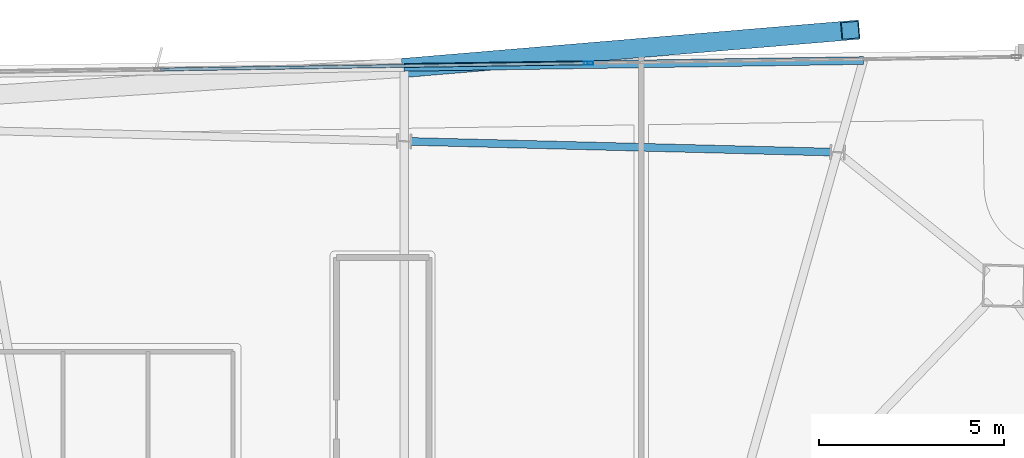
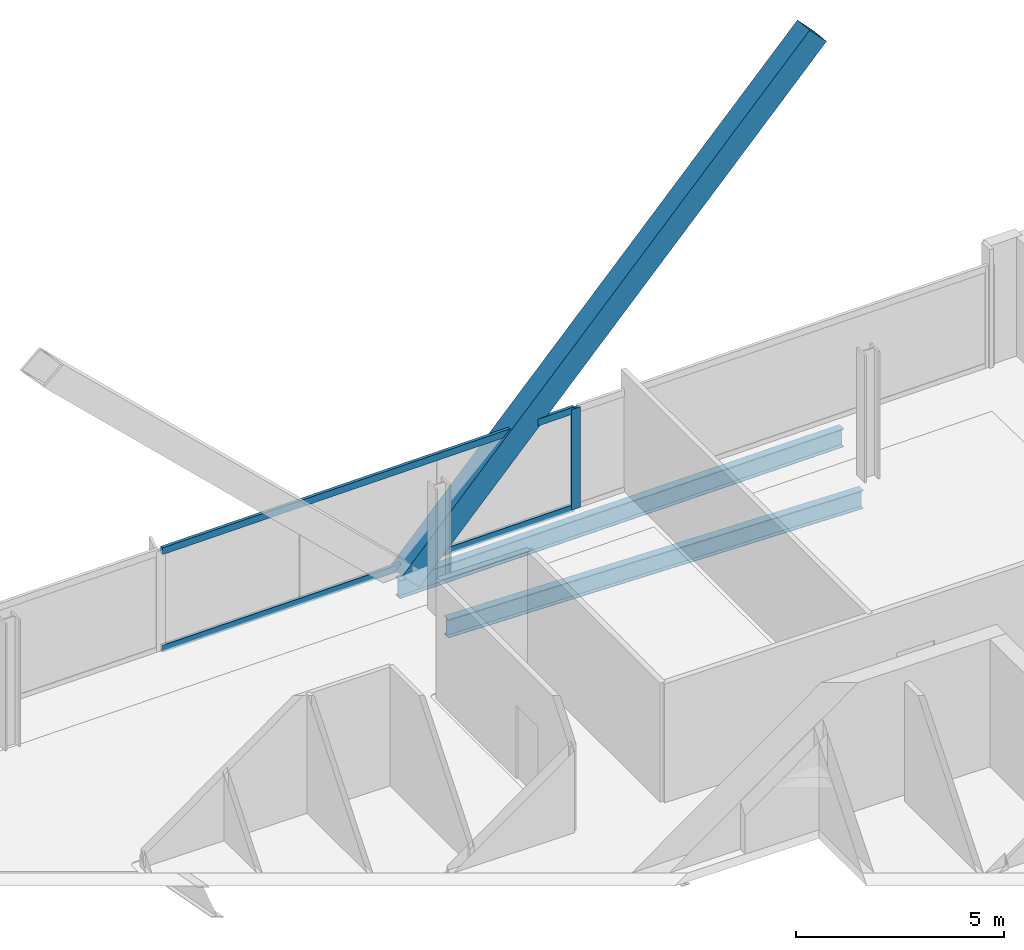
# One storey, part 16 of 25: 4 members, 2 beams, 1 element without a shape of its own.
"""IFC4 building model written with IfcOpenShell, lengths in metres."""

import ifcopenshell
import ifcopenshell.guid

model = None  # the IFC model being written
_history = None  # IfcOwnerHistory: only IFC2X3 demands one
_inside = {}  # id of a spatial element -> (the spatial element, [elements in it])
_under = {}  # id of a project, library or spatial element -> (it, [spatial elements below it])
_declared = {}  # id of a project -> (the project, [libraries it declares])
_typed = {}  # id of a type object -> (the type object, [elements of that type])
_made_of = {}  # id of a material, layer set ... -> (it, [elements and type objects made of it])


def new_model(schema):
    """Start an empty IFC model of exactly this schema.

    Asked for "IFC4X3", IfcOpenShell would pick the latest addendum, in which some entities
    have other attributes; the version numbers below select the first issue.
    IFC2X3 requires an IfcOwnerHistory on every rooted entity: one is made here for all.
    """
    global model, _history
    if schema == "IFC4X3":
        model = ifcopenshell.file(schema_version=(4, 3, 0, 0))
    else:
        model = ifcopenshell.file(schema=schema)
    _inside.clear()
    _under.clear()
    _declared.clear()
    _typed.clear()
    _made_of.clear()
    _history = None
    if model.schema == "IFC2X3":
        org = make("IfcOrganization", Name="unknown")
        user = make(
            "IfcPersonAndOrganization",
            ThePerson=make("IfcPerson", FamilyName="unknown"),
            TheOrganization=org,
        )
        app = make(
            "IfcApplication",
            ApplicationDeveloper=org,
            Version="unknown",
            ApplicationFullName="unknown",
            ApplicationIdentifier="unknown",
        )
        _history = make(
            "IfcOwnerHistory",
            OwningUser=user,
            OwningApplication=app,
            ChangeAction="ADDED",
            CreationDate=0,
        )
    return model


def make(cls, **values):
    """One entity of the class cls with the attributes given. An attribute that is None is left unset."""
    return model.create_entity(
        cls, **{name: value for name, value in values.items() if value is not None}
    )


def rooted(cls, **values):
    """An entity with a GlobalId (a new one), such as an element, a storey or a relation."""
    return make(cls, GlobalId=ifcopenshell.guid.new(), OwnerHistory=_history, **values)


def si_unit(unit_type, name, prefix=None):
    """IfcSIUnit, for example si_unit("LENGTHUNIT", "METRE", prefix="MILLI")."""
    return make("IfcSIUnit", UnitType=unit_type, Prefix=prefix, Name=name)


def assignment(units):
    """IfcUnitAssignment: the units of a project."""
    return None if units is None else make("IfcUnitAssignment", Units=units)


def point(xyz):
    """IfcCartesianPoint."""
    return None if xyz is None else make("IfcCartesianPoint", Coordinates=xyz)


def direction(xyz):
    """IfcDirection."""
    return None if xyz is None else make("IfcDirection", DirectionRatios=xyz)


def frame(location, z_axis=None, x_axis=None):
    """IfcAxis2Placement3D, a coordinate frame: its origin and axes. An axis left out is left unset."""
    return make(
        "IfcAxis2Placement3D",
        Location=point(location),
        Axis=direction(z_axis),
        RefDirection=direction(x_axis),
    )


def frame_2d(location, x_axis=None):
    """IfcAxis2Placement2D, a coordinate frame in the plane: its origin and x axis."""
    return make(
        "IfcAxis2Placement2D", Location=point(location), RefDirection=direction(x_axis)
    )


def origin():
    """The frame at (0, 0, 0) with its axes left unset."""
    return frame((0.0, 0.0, 0.0))


def origin_2d():
    """The frame at (0, 0) in the plane with its x axis left unset."""
    return frame_2d((0.0, 0.0))


def place(relative_to, where):
    """IfcLocalPlacement: puts the frame where relative to a parent placement (None: the world)."""
    return make(
        "IfcLocalPlacement", PlacementRelTo=relative_to, RelativePlacement=where
    )


def context(
    kind, dimensions, precision=None, world=None, true_north=None, identifier=None
):
    """IfcGeometricRepresentationContext, for example the 3D "Model" context."""
    return make(
        "IfcGeometricRepresentationContext",
        ContextIdentifier=identifier,
        ContextType=kind,
        CoordinateSpaceDimension=dimensions,
        Precision=precision,
        WorldCoordinateSystem=world,
        TrueNorth=true_north,
    )


def subcontext(parent, identifier, kind, view, scale=None):
    """IfcGeometricRepresentationSubContext, for example "Body" below "Model"."""
    return make(
        "IfcGeometricRepresentationSubContext",
        ContextIdentifier=identifier,
        ContextType=kind,
        ParentContext=parent,
        TargetScale=scale,
        TargetView=view,
    )


def project(units=None, contexts=None):
    """IfcProject with its units and contexts."""
    return rooted(
        "IfcProject",
        Name="project",
        RepresentationContexts=contexts,
        UnitsInContext=assignment(units),
    )


def spatial(cls, under=None, at=None, **own):
    """A site, building, storey or space (cls), placed at a placement, below another one or the project."""
    s = rooted(cls, ObjectPlacement=at, **own)
    if under is not None:
        _under.setdefault(under.id(), (under, []))[1].append(s)
    return s


def profile(cls, at=None, kind="AREA", **sizes):
    """A parametric profile (cls). Its sizes go by their IFC names, for example OverallWidth=200.0."""
    return make(cls, ProfileType=kind, Position=at, **sizes)


def hollow_rectangle(**sizes):
    """IfcRectangleHollowProfileDef."""
    return profile("IfcRectangleHollowProfileDef", **sizes)


def i_section(**sizes):
    """IfcIShapeProfileDef."""
    return profile("IfcIShapeProfileDef", **sizes)


def extrude(swept, where, along, depth):
    """IfcExtrudedAreaSolid: the profile swept, set in the frame where, extruded along a direction by depth."""
    return make(
        "IfcExtrudedAreaSolid",
        SweptArea=swept,
        Position=where,
        ExtrudedDirection=direction(along),
        Depth=depth,
    )


def shape(context_of_items, identifier, shape_type, items):
    """IfcShapeRepresentation: the items that make up one representation, for example the "Body"."""
    return make(
        "IfcShapeRepresentation",
        ContextOfItems=context_of_items,
        RepresentationIdentifier=identifier,
        RepresentationType=shape_type,
        Items=items,
    )


def material(Name=None, Category=None):
    """IfcMaterial."""
    return make("IfcMaterial", Name=Name, Category=Category)


def material_profile(
    of_material, cross_section, Name=None, Category=None, Priority=None
):
    """IfcMaterialProfile: a cross section and its material."""
    return make(
        "IfcMaterialProfile",
        Name=Name,
        Material=of_material,
        Profile=cross_section,
        Priority=Priority,
        Category=Category,
    )


def profile_set(profiles, Name=None, composite=None):
    """IfcMaterialProfileSet."""
    return make(
        "IfcMaterialProfileSet",
        Name=Name,
        MaterialProfiles=profiles,
        CompositeProfile=composite,
    )


def made_of(thing, what):
    """Note that an element or type object is made of a material, layer set ...; save() writes the relation."""
    if what is not None:
        _made_of.setdefault(what.id(), (what, []))[1].append(thing)
    return thing


def type_object(cls, material=None, **own):
    """A type object (cls), such as IfcWallType, which elements share."""
    return made_of(rooted(cls, **own), material)


def element(
    cls,
    number,
    at=None,
    inside=None,
    cuts=None,
    type_object=None,
    material=None,
    context=None,
    identifier="Body",
    shape_type=None,
    held_by="IfcProductDefinitionShape",
    body=None,
    shapes=None,
    **own,
):
    """One element of the class cls, such as IfcWall. Its Tag is "e" and its number.

    at: its placement. inside: the storey or other place that contains it. cuts: it is an
    opening in that element (IfcRelVoidsElement). A single representation is given by context,
    identifier, shape_type and body (its items); several are given by shapes. held_by: the class
    of the entity that holds the representations. save() writes the other relations.
    """
    e = rooted(cls, Tag="e%d" % number, ObjectPlacement=at, **own)
    if body is not None:
        shapes = [shape(context, identifier, shape_type, body)]
    if shapes is not None:
        e.Representation = make(held_by, Representations=shapes)
    if inside is not None:
        _inside.setdefault(inside.id(), (inside, []))[1].append(e)
    if cuts is not None:
        rooted(
            "IfcRelVoidsElement", RelatingBuildingElement=cuts, RelatedOpeningElement=e
        )
    if type_object is not None:
        _typed.setdefault(type_object.id(), (type_object, []))[1].append(e)
    return made_of(e, material)


def aggregate(whole, parts):
    """IfcRelAggregates: a whole, such as a stair, and the parts it consists of."""
    return rooted("IfcRelAggregates", RelatingObject=whole, RelatedObjects=parts)


def save(model, path):
    """Write the relations noted so far, then the file.

    IfcRelAggregates (storeys below a building ...), IfcRelContainedInSpatialStructure (elements
    in a storey), IfcRelDefinesByType, IfcRelAssociatesMaterial and IfcRelDeclares: one each for
    every whole, place, type object, material and project.
    """
    for whole, parts in _under.values():
        aggregate(whole, parts)
    for where, things in _inside.values():
        rooted(
            "IfcRelContainedInSpatialStructure",
            RelatedElements=things,
            RelatingStructure=where,
        )
    for kind, things in _typed.values():
        rooted("IfcRelDefinesByType", RelatedObjects=things, RelatingType=kind)
    for what, things in _made_of.values():
        rooted("IfcRelAssociatesMaterial", RelatedObjects=things, RelatingMaterial=what)
    for by, libraries in _declared.values():
        rooted("IfcRelDeclares", RelatingContext=by, RelatedDefinitions=libraries)
    model.write(path)


model = new_model("IFC4")

# Units and contexts
model_context = context("Model", 3, precision=1e-05, world=origin(), true_north=direction((0.0, 1.0)))
body_context = subcontext(model_context, "Body", "Model", "MODEL_VIEW")
ifc_project = project(units=[si_unit("LENGTHUNIT", "METRE"), si_unit("AREAUNIT", "SQUARE_METRE"), si_unit("VOLUMEUNIT", "CUBIC_METRE"), si_unit("PLANEANGLEUNIT", "RADIAN"), si_unit("MASSUNIT", "GRAM", prefix="KILO")], contexts=[model_context])

# Site, building, storey
site_placement = place(None, origin())
site = spatial("IfcSite", under=ifc_project, at=site_placement, CompositionType="ELEMENT")
building_placement = place(site_placement, origin())
building = spatial("IfcBuilding", under=site, at=building_placement, Name="Haldenkirk Collegiate Tower", CompositionType="ELEMENT")
storey_placement = place(building_placement, frame((0.0, 0.0, 332.699951171875)))
storey = spatial("IfcBuildingStorey", under=building, at=storey_placement, Name="L84", CompositionType="ELEMENT", Elevation=332.699951171875)

# Beams
ifc_material_1 = material(Name="Steel ASTM A992 Grade 50", Category="steel")
ifc_material_profile_1 = material_profile(ifc_material_1, i_section(OverallWidth=0.2099609375, OverallDepth=0.537109375, WebThickness=0.010986328125, FlangeThickness=0.017333984375, at=origin_2d()), Name="W21X68")
ifc_profile_set_1 = profile_set([ifc_material_profile_1], Name="Steel ASTM A992 Grade 50")
beam_type = type_object("IfcBeamType", Name="BM-SPANDREL-W21X68", PredefinedType="SPANDREL", material=ifc_profile_set_1)
beam_1_placement = place(storey_placement, frame((48.123779296875, 45.74951171875, -0.528564453125), z_axis=(-0.999679864584, 0.025301548267, 0.0), x_axis=(-0.025301548267, -0.999679864584, 0.0)))
element("IfcBeam", 1, at=beam_1_placement, inside=storey, type_object=beam_type, Name="L84 perimeter spandrel beam 06", PredefinedType="SPANDREL", context=body_context, shape_type="SweptSolid", body=[
    extrude(i_section(OverallWidth=0.2099609375, OverallDepth=0.537109375, WebThickness=0.010986328125, FlangeThickness=0.017333984375, at=origin_2d()), origin(), (0.0, 0.0, 1.0), 11.357177734375),
])
beam_2_placement = place(storey_placement, frame((49.010986328125, 48.2255859375, -0.528564453125), z_axis=(-0.999889752259, -0.014848681007, 0.0), x_axis=(0.014848681007, -0.999889752259, 0.0)))
element("IfcBeam", 2, at=beam_2_placement, inside=storey, type_object=beam_type, Name="L84 outer facade edge beam 2A", PredefinedType="SPANDREL", context=body_context, shape_type="SweptSolid", body=[
    extrude(i_section(OverallWidth=0.2099609375, OverallDepth=0.537109375, WebThickness=0.010986328125, FlangeThickness=0.017333984375, at=origin_2d()), origin(), (0.0, 0.0, 1.0), 12.43017578125),
])

# Curtain wall, members
ifc_material_2 = material(Name="Anodised architectural bronze aluminium", Category="aluminium")
curtain_wall_type = type_object("IfcCurtainWallType", Name="CW-SYS1B-CONVEX-HI", PredefinedType="USERDEFINED", material=ifc_material_2)
curtain_wall_placement = place(storey_placement, origin())
curtain_wall = element("IfcCurtainWall", 3, at=curtain_wall_placement, inside=storey, type_object=curtain_wall_type, Name="L84 Upper tower high-wind convex bronze unitised curtain wall", ObjectType="UNITISED CURTAIN WALL", PredefinedType="USERDEFINED")
ifc_material_profile_2 = material_profile(ifc_material_2, hollow_rectangle(XDim=0.0849609375, YDim=0.25, WallThickness=0.0048828125, at=origin_2d()), Name="CW-MUL-1B")
ifc_profile_set_2 = profile_set([ifc_material_profile_2], Name="Anodised architectural bronze aluminium")
member_type_1 = type_object("IfcMemberType", Name="CW-MUL-1B", PredefinedType="MULLION", material=ifc_profile_set_2)
member_1_placement = place(storey_placement, frame((41.572021484375, 48.155029296875, 0.0), z_axis=(0.0, 0.0, 1.0), x_axis=(-0.014832959269, 0.999889985608, 0.0)))
member_1 = element("IfcMember", 4, at=member_1_placement, type_object=member_type_1, Name="CW-1B mullion 3", PredefinedType="MULLION", context=body_context, shape_type="SweptSolid", body=[
    extrude(hollow_rectangle(XDim=0.0849609375, YDim=0.25, WallThickness=0.0048828125, at=origin_2d()), origin(), (0.0, 0.0, 1.0), 2.947998046875),
])
ifc_material_profile_3 = material_profile(ifc_material_2, hollow_rectangle(XDim=0.0849609375, YDim=0.199951171875, WallThickness=0.0048828125, at=origin_2d()), Name="CW-TRN-1B")
ifc_profile_set_3 = profile_set([ifc_material_profile_3], Name="Anodised architectural bronze aluminium")
member_type_2 = type_object("IfcMemberType", Name="CW-TRN-1B", PredefinedType="USERDEFINED", material=ifc_profile_set_3)
member_2_placement = place(storey_placement, frame((29.99072265625, 47.983154296875, 0.04248046875), z_axis=(0.999889711607, 0.014851418182, 0.0), x_axis=(-0.014851418182, 0.999889711607, 0.0)))
member_2 = element("IfcMember", 5, at=member_2_placement, type_object=member_type_2, Name="CW-1B transom 2.1", ObjectType="TRANSOM", PredefinedType="USERDEFINED", context=body_context, shape_type="SweptSolid", body=[
    extrude(hollow_rectangle(XDim=0.0849609375, YDim=0.199951171875, WallThickness=0.0048828125, at=origin_2d()), origin(), (0.0, 0.0, 1.0), 11.5400390625),
])
member_3_placement = place(storey_placement, frame((29.99072265625, 47.983154296875, 2.905517578125), z_axis=(0.999889711607, 0.014851418182, 0.0), x_axis=(-0.014851418182, 0.999889711607, 0.0)))
member_3 = element("IfcMember", 6, at=member_3_placement, type_object=member_type_2, Name="CW-1B transom 2.2", ObjectType="TRANSOM", PredefinedType="USERDEFINED", context=body_context, shape_type="SweptSolid", body=[
    extrude(hollow_rectangle(XDim=0.0849609375, YDim=0.199951171875, WallThickness=0.0048828125, at=origin_2d()), origin(), (0.0, 0.0, 1.0), 11.5400390625),
])
aggregate(curtain_wall, [member_1, member_2, member_3])

# Member
ifc_material_3 = material(Name="Steel ASTM A572 Grade 50", Category="steel")
ifc_material_profile_4 = material_profile(ifc_material_3, hollow_rectangle(XDim=0.52001953125, YDim=0.719970703125, WallThickness=0.035888671875, at=origin_2d()), Name="BOX720X520X36")
ifc_profile_set_4 = profile_set([ifc_material_profile_4], Name="Steel ASTM A572 Grade 50")
member_type_3 = type_object("IfcMemberType", Name="MBR-MEGABRACE-BOX720X520X36", PredefinedType="BRACE", material=ifc_profile_set_4)
member_4_placement = place(storey_placement, frame((36.77587890625, 48.0439453125, -0.27001953125), z_axis=(0.724756213586, 0.060989616017, 0.686300734085), x_axis=(-0.083855515551, 0.996477923745, 0.0)))
element("IfcMember", 7, at=member_4_placement, inside=storey, type_object=member_type_3, Name="Perimeter Mega Brace Z6 L84-L86 EL", PredefinedType="BRACE", context=body_context, shape_type="SweptSolid", body=[
    extrude(hollow_rectangle(XDim=0.52001953125, YDim=0.719970703125, WallThickness=0.035888671875, at=origin_2d()), origin(), (0.0, 0.0, 1.0), 16.392333984375),
])

save(model, "model.ifc")
